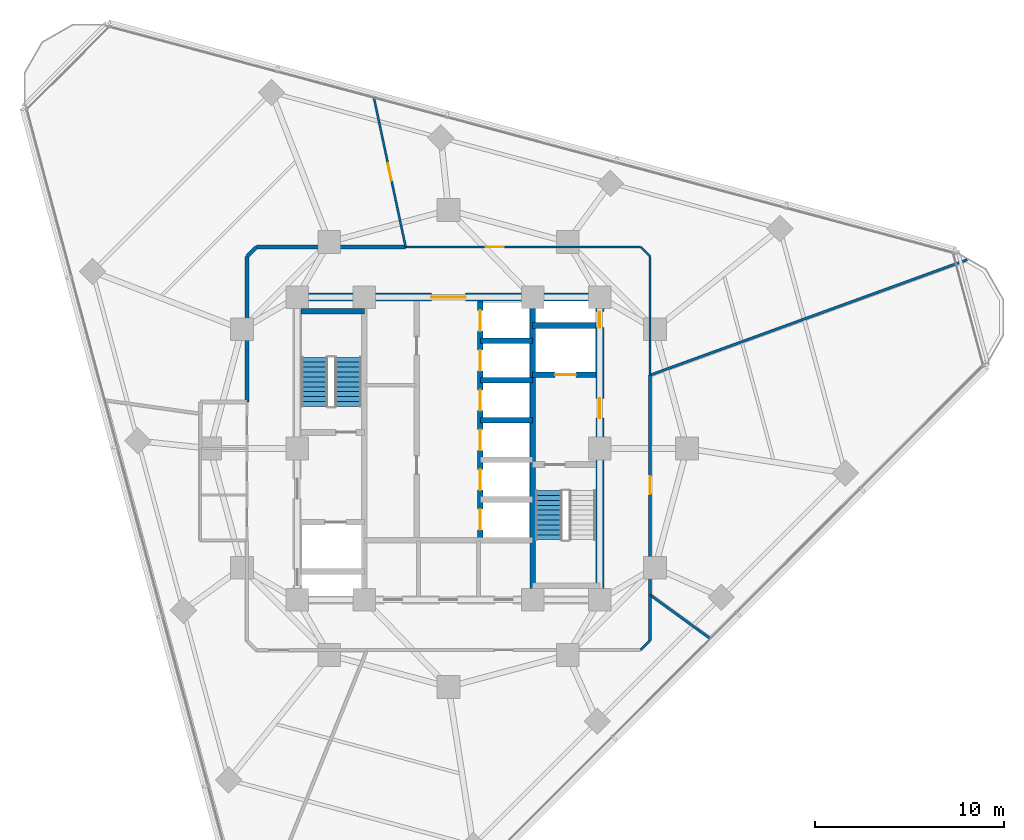
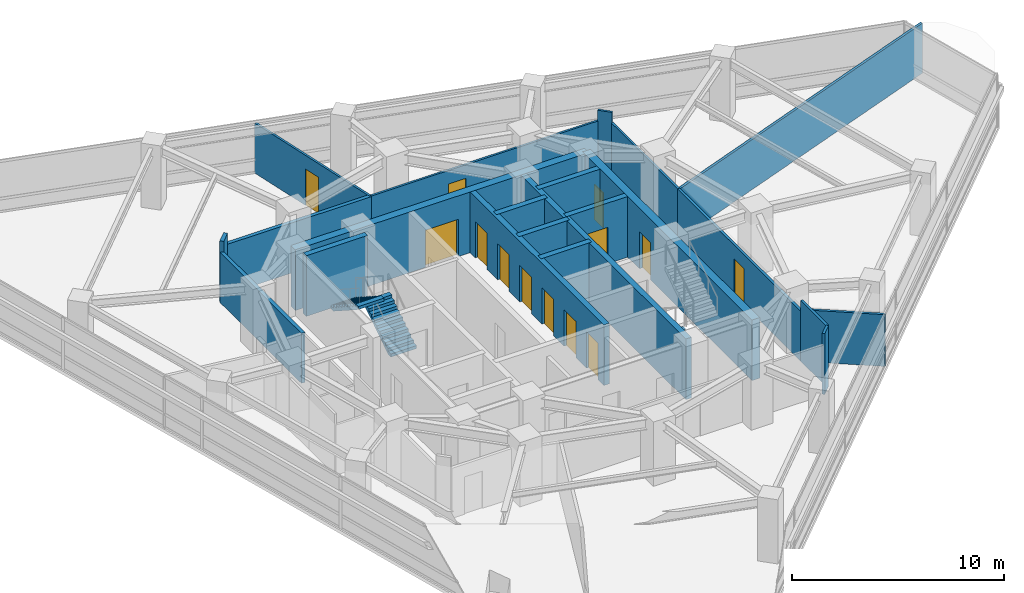
# One storey, part 8 of 13: 22 walls, 13 doors, 3 stair flights, 13 openings, 2 elements without a shape of their own.
"""IFC4 building model written with IfcOpenShell, lengths in metres."""

from ifc_helpers import new_model, si_unit, direction, frame, frame_2d, origin, place, context, subcontext, project, spatial, polyline, rectangle, outline, extrude, material, layer, layer_set, type_object, element, fill, aggregate, save


model = new_model("IFC4")

# Units and contexts
model_context = context("Model", 3, precision=1e-05, world=origin(), true_north=direction((0.0, 1.0)))
body_context = subcontext(model_context, "Body", "Model", "MODEL_VIEW")
ifc_project = project(units=[si_unit("LENGTHUNIT", "METRE"), si_unit("AREAUNIT", "SQUARE_METRE"), si_unit("VOLUMEUNIT", "CUBIC_METRE"), si_unit("PLANEANGLEUNIT", "RADIAN"), si_unit("MASSUNIT", "GRAM", prefix="KILO")], contexts=[model_context])

# Site, building, storey
site_placement = place(None, origin())
site = spatial("IfcSite", under=ifc_project, at=site_placement, CompositionType="ELEMENT")
building_placement = place(site_placement, origin())
building = spatial("IfcBuilding", under=site, at=building_placement, Name="Terralouvre Media Tower", CompositionType="ELEMENT")
storey_placement = place(building_placement, frame((0.0, 0.0, 199.0)))
storey = spatial("IfcBuildingStorey", under=building, at=storey_placement, Name="L51", CompositionType="ELEMENT", Elevation=199.0)

# Walls
ifc_material_1 = material(Name="Concrete C50/60", Category="concrete")
ifc_layer_1 = layer(ifc_material_1, 0.300048828125, Name="Core Internal Shaft Wall CW-300")
ifc_layer_set_1 = layer_set([ifc_layer_1], Name="Concrete C50/60")
wall_type_1 = type_object("IfcWallType", Name="Core Internal Shaft Wall CW-300", PredefinedType="SHEAR", material=ifc_layer_set_1)
wall_1_placement = place(storey_placement, frame((4.449951171875, -7.7900390625, 0.0), z_axis=(0.0, 0.0, 1.0), x_axis=(0.0, 1.0, 0.0)))
element("IfcWall", 1, at=wall_1_placement, inside=storey, type_object=wall_type_1, Name="L51 Core Shaft Wall SPE", PredefinedType="SHEAR", context=body_context, shape_type="SweptSolid", body=[
    extrude(rectangle(XDim=15.580078125, YDim=0.300048828125, at=frame_2d((7.7900390625, 0.0))), origin(), (0.0, 0.0, 1.0), 3.5),
])
wall_2_placement = place(storey_placement, frame((-7.7900390625, 7.260009765625, 0.0), z_axis=(0.0, 0.0, 1.0), x_axis=(1.0, 0.0, 0.0)))
element("IfcWall", 2, at=wall_2_placement, inside=storey, type_object=wall_type_1, Name="L51 Core Shaft Wall ST1F", PredefinedType="SHEAR", context=body_context, shape_type="SweptSolid", body=[
    extrude(rectangle(XDim=3.340087890625, YDim=0.300048828125, at=frame_2d((1.669921875, 0.0))), origin(), (0.0, 0.0, 1.0), 3.5),
])

# Wall, opening, door
wall_3_placement = place(storey_placement, frame((4.449951171875, 3.89990234375, 0.0), z_axis=(0.0, 0.0, 1.0), x_axis=(1.0, 0.0, 0.0)))
wall_3 = element("IfcWall", 3, at=wall_3_placement, inside=storey, type_object=wall_type_1, Name="L51 Core Shaft Wall FF2S", PredefinedType="SHEAR", context=body_context, shape_type="SweptSolid", body=[
    extrude(rectangle(XDim=3.340087890625, YDim=0.300048828125, at=frame_2d((1.669921875, 0.0))), origin(), (0.0, 0.0, 1.0), 3.5),
])
opening_1_placement = place(wall_3_placement, frame((1.179931640625, 0.0, 0.0)))
opening_1 = element("IfcOpeningElement", 4, at=opening_1_placement, cuts=wall_3, Name="Opening LD-FF", PredefinedType="OPENING", context=body_context, shape_type="SweptSolid", body=[
    extrude(rectangle(XDim=1.10009765625, YDim=2.10009765625, at=frame_2d((0.550048828125, 1.050048828125))), frame((0.0, 0.159912109375, 0.0), z_axis=(0.0, -1.0, 0.0), x_axis=(1.0, 0.0, 0.0)), (0.0, 0.0, 1.0), 0.320068359375),
])
ifc_material_2 = material(Name="Stainless steel 316 handrail and balustrade", Category="steel")
door_type_1 = type_object("IfcDoorType", Name="Firefighting Lift Sliding Landing Door LD-FF", OperationType="SLIDING_TO_LEFT", PredefinedType="DOOR", material=ifc_material_2)
door_1_placement = place(opening_1_placement, origin())
door_1 = element("IfcDoor", 5, at=door_1_placement, inside=storey, type_object=door_type_1, Name="L51 Firefighting Lift FFL-02 Landing Door", OperationType="SLIDING_TO_LEFT", OverallHeight=2.10009765625, OverallWidth=1.10009765625, PredefinedType="DOOR", context=body_context, shape_type="SweptSolid", body=[
    extrude(rectangle(XDim=1.10009765625, YDim=2.10009765625, at=frame_2d((0.550048828125, 1.050048828125))), frame((0.0, 0.02490234375, 0.0), z_axis=(0.0, -1.0, 0.0), x_axis=(1.0, 0.0, 0.0)), (0.0, 0.0, 1.0), 0.050048828125),
])
fill(opening_1, door_1)

# Wall
wall_4_placement = place(storey_placement, frame((4.449951171875, 6.5, 0.0), z_axis=(0.0, 0.0, 1.0), x_axis=(1.0, 0.0, 0.0)))
element("IfcWall", 6, at=wall_4_placement, inside=storey, type_object=wall_type_1, Name="L51 Core Shaft Wall FF2N", PredefinedType="SHEAR", context=body_context, shape_type="SweptSolid", body=[
    extrude(rectangle(XDim=3.340087890625, YDim=0.300048828125, at=frame_2d((1.669921875, 0.0))), origin(), (0.0, 0.0, 1.0), 3.5),
])

# Wall, openings, doors
wall_5_placement = place(storey_placement, frame((1.679931640625, -4.85009765625, 0.0), z_axis=(0.0, 0.0, 1.0), x_axis=(0.0, 1.0, 0.0)))
wall_5 = element("IfcWall", 7, at=wall_5_placement, inside=storey, type_object=wall_type_1, Name="L51 Core Shaft Wall LBE", PredefinedType="SHEAR", context=body_context, shape_type="SweptSolid", body=[
    extrude(rectangle(XDim=12.64013671875, YDim=0.300048828125, at=frame_2d((6.320068359375, 0.0))), origin(), (0.0, 0.0, 1.0), 3.5),
])
opening_2_placement = place(wall_5_placement, frame((0.550048828125, 0.0, 0.0)))
opening_2 = element("IfcOpeningElement", 8, at=opening_2_placement, cuts=wall_5, Name="Opening LD-PL", PredefinedType="OPENING", context=body_context, shape_type="SweptSolid", body=[
    extrude(rectangle(XDim=1.10009765625, YDim=2.10009765625, at=frame_2d((0.550048828125, 1.050048828125))), frame((0.0, 0.159912109375, 0.0), z_axis=(0.0, -1.0, 0.0), x_axis=(1.0, 0.0, 0.0)), (0.0, 0.0, 1.0), 0.320068359375),
])
opening_3_placement = place(wall_5_placement, frame((2.64990234375, 0.0, 0.0)))
opening_3 = element("IfcOpeningElement", 9, at=opening_3_placement, cuts=wall_5, Name="Opening LD-PL", PredefinedType="OPENING", context=body_context, shape_type="SweptSolid", body=[
    extrude(rectangle(XDim=1.10009765625, YDim=2.10009765625, at=frame_2d((0.550048828125, 1.050048828125))), frame((0.0, 0.159912109375, 0.0), z_axis=(0.0, -1.0, 0.0), x_axis=(1.0, 0.0, 0.0)), (0.0, 0.0, 1.0), 0.320068359375),
])
opening_4_placement = place(wall_5_placement, frame((4.75, 0.0, 0.0)))
opening_4 = element("IfcOpeningElement", 10, at=opening_4_placement, cuts=wall_5, Name="Opening LD-PL", PredefinedType="OPENING", context=body_context, shape_type="SweptSolid", body=[
    extrude(rectangle(XDim=1.10009765625, YDim=2.10009765625, at=frame_2d((0.550048828125, 1.050048828125))), frame((0.0, 0.159912109375, 0.0), z_axis=(0.0, -1.0, 0.0), x_axis=(1.0, 0.0, 0.0)), (0.0, 0.0, 1.0), 0.320068359375),
])
opening_5_placement = place(wall_5_placement, frame((6.85009765625, 0.0, 0.0)))
opening_5 = element("IfcOpeningElement", 11, at=opening_5_placement, cuts=wall_5, Name="Opening LD-PL", PredefinedType="OPENING", context=body_context, shape_type="SweptSolid", body=[
    extrude(rectangle(XDim=1.10009765625, YDim=2.10009765625, at=frame_2d((0.550048828125, 1.050048828125))), frame((0.0, 0.159912109375, 0.0), z_axis=(0.0, -1.0, 0.0), x_axis=(1.0, 0.0, 0.0)), (0.0, 0.0, 1.0), 0.320068359375),
])
opening_6_placement = place(wall_5_placement, frame((8.949951171875, 0.0, 0.0)))
opening_6 = element("IfcOpeningElement", 12, at=opening_6_placement, cuts=wall_5, Name="Opening LD-PL", PredefinedType="OPENING", context=body_context, shape_type="SweptSolid", body=[
    extrude(rectangle(XDim=1.10009765625, YDim=2.10009765625, at=frame_2d((0.550048828125, 1.050048828125))), frame((0.0, 0.159912109375, 0.0), z_axis=(0.0, -1.0, 0.0), x_axis=(1.0, 0.0, 0.0)), (0.0, 0.0, 1.0), 0.320068359375),
])
opening_7_placement = place(wall_5_placement, frame((11.050048828125, 0.0, 0.0)))
opening_7 = element("IfcOpeningElement", 13, at=opening_7_placement, cuts=wall_5, Name="Opening LD-PL", PredefinedType="OPENING", context=body_context, shape_type="SweptSolid", body=[
    extrude(rectangle(XDim=1.10009765625, YDim=2.10009765625, at=frame_2d((0.550048828125, 1.050048828125))), frame((0.0, 0.159912109375, 0.0), z_axis=(0.0, -1.0, 0.0), x_axis=(1.0, 0.0, 0.0)), (0.0, 0.0, 1.0), 0.320068359375),
])
ifc_material_3 = material(Name="Stainless steel 316 handrail and balustrade", Category="steel")
door_type_2 = type_object("IfcDoorType", Name="Passenger Lift Sliding Landing Door LD-PL", OperationType="SLIDING_TO_LEFT", PredefinedType="DOOR", material=ifc_material_3)
door_2_placement = place(opening_2_placement, origin())
door_2 = element("IfcDoor", 14, at=door_2_placement, inside=storey, type_object=door_type_2, Name="L51 High-Rise Lift PL-H1 Landing Door", OperationType="SLIDING_TO_LEFT", OverallHeight=2.10009765625, OverallWidth=1.10009765625, PredefinedType="DOOR", context=body_context, shape_type="SweptSolid", body=[
    extrude(rectangle(XDim=1.10009765625, YDim=2.10009765625, at=frame_2d((0.550048828125, 1.050048828125))), frame((0.0, 0.02490234375, 0.0), z_axis=(0.0, -1.0, 0.0), x_axis=(1.0, 0.0, 0.0)), (0.0, 0.0, 1.0), 0.050048828125),
])
fill(opening_2, door_2)
door_3_placement = place(opening_3_placement, origin())
door_3 = element("IfcDoor", 15, at=door_3_placement, inside=storey, type_object=door_type_2, Name="L51 High-Rise Lift PL-H2 Landing Door", OperationType="SLIDING_TO_LEFT", OverallHeight=2.10009765625, OverallWidth=1.10009765625, PredefinedType="DOOR", context=body_context, shape_type="SweptSolid", body=[
    extrude(rectangle(XDim=1.10009765625, YDim=2.10009765625, at=frame_2d((0.550048828125, 1.050048828125))), frame((0.0, 0.02490234375, 0.0), z_axis=(0.0, -1.0, 0.0), x_axis=(1.0, 0.0, 0.0)), (0.0, 0.0, 1.0), 0.050048828125),
])
fill(opening_3, door_3)
door_4_placement = place(opening_4_placement, origin())
door_4 = element("IfcDoor", 16, at=door_4_placement, inside=storey, type_object=door_type_2, Name="L51 High-Rise Lift PL-H3 Landing Door", OperationType="SLIDING_TO_LEFT", OverallHeight=2.10009765625, OverallWidth=1.10009765625, PredefinedType="DOOR", context=body_context, shape_type="SweptSolid", body=[
    extrude(rectangle(XDim=1.10009765625, YDim=2.10009765625, at=frame_2d((0.550048828125, 1.050048828125))), frame((0.0, 0.02490234375, 0.0), z_axis=(0.0, -1.0, 0.0), x_axis=(1.0, 0.0, 0.0)), (0.0, 0.0, 1.0), 0.050048828125),
])
fill(opening_4, door_4)
door_5_placement = place(opening_5_placement, origin())
door_5 = element("IfcDoor", 17, at=door_5_placement, inside=storey, type_object=door_type_2, Name="L51 Mid-Rise Lift PL-M1 Landing Door", OperationType="SLIDING_TO_LEFT", OverallHeight=2.10009765625, OverallWidth=1.10009765625, PredefinedType="DOOR", context=body_context, shape_type="SweptSolid", body=[
    extrude(rectangle(XDim=1.10009765625, YDim=2.10009765625, at=frame_2d((0.550048828125, 1.050048828125))), frame((0.0, 0.02490234375, 0.0), z_axis=(0.0, -1.0, 0.0), x_axis=(1.0, 0.0, 0.0)), (0.0, 0.0, 1.0), 0.050048828125),
])
fill(opening_5, door_5)
door_6_placement = place(opening_6_placement, origin())
door_6 = element("IfcDoor", 18, at=door_6_placement, inside=storey, type_object=door_type_2, Name="L51 Mid-Rise Lift PL-M2 Landing Door", OperationType="SLIDING_TO_LEFT", OverallHeight=2.10009765625, OverallWidth=1.10009765625, PredefinedType="DOOR", context=body_context, shape_type="SweptSolid", body=[
    extrude(rectangle(XDim=1.10009765625, YDim=2.10009765625, at=frame_2d((0.550048828125, 1.050048828125))), frame((0.0, 0.02490234375, 0.0), z_axis=(0.0, -1.0, 0.0), x_axis=(1.0, 0.0, 0.0)), (0.0, 0.0, 1.0), 0.050048828125),
])
fill(opening_6, door_6)
door_7_placement = place(opening_7_placement, origin())
door_7 = element("IfcDoor", 19, at=door_7_placement, inside=storey, type_object=door_type_2, Name="L51 Mid-Rise Lift PL-M3 Landing Door", OperationType="SLIDING_TO_LEFT", OverallHeight=2.10009765625, OverallWidth=1.10009765625, PredefinedType="DOOR", context=body_context, shape_type="SweptSolid", body=[
    extrude(rectangle(XDim=1.10009765625, YDim=2.10009765625, at=frame_2d((0.550048828125, 1.050048828125))), frame((0.0, 0.02490234375, 0.0), z_axis=(0.0, -1.0, 0.0), x_axis=(1.0, 0.0, 0.0)), (0.0, 0.0, 1.0), 0.050048828125),
])
fill(opening_7, door_7)

# Walls
for number, where, z_axis, x_axis, name in (
    (20, (1.679931640625, 1.5, 0.0), (0.0, 0.0, 1.0), (1.0, 0.0, 0.0), "L51 Core Shaft Wall PLMD0"),
    (21, (1.679931640625, 3.60009765625, 0.0), (0.0, 0.0, 1.0), (1.0, 0.0, 0.0), "L51 Core Shaft Wall PLMD1"),
    (22, (1.679931640625, 5.699951171875, 0.0), (0.0, 0.0, 1.0), (1.0, 0.0, 0.0), "L51 Core Shaft Wall PLMD2"),
):
    element("IfcWall", number, at=place(storey_placement, frame(where, z_axis=z_axis, x_axis=x_axis)), inside=storey, type_object=wall_type_1, Name=name, PredefinedType="SHEAR", context=body_context, shape_type="SweptSolid", body=[
        extrude(rectangle(XDim=2.77001953125, YDim=0.300048828125, at=frame_2d((1.385009765625, 0.0))), origin(), (0.0, 0.0, 1.0), 3.5),
    ])

# Wall, openings, doors
ifc_material_4 = material(Name="Concrete C60/75", Category="concrete")
ifc_layer_2 = layer(ifc_material_4, 0.419921875, Name="Core Reinforced Concrete Shear Wall CW-420")
ifc_layer_set_2 = layer_set([ifc_layer_2], Name="Concrete C60/75")
wall_type_2 = type_object("IfcWallType", Name="Core Reinforced Concrete Shear Wall CW-420", PredefinedType="SHEAR", material=ifc_layer_set_2)
wall_6_placement = place(storey_placement, frame((8.0, -8.0, 0.0), z_axis=(0.0, 0.0, 1.0), x_axis=(0.0, 1.0, 0.0)))
wall_6 = element("IfcWall", 23, at=wall_6_placement, inside=storey, type_object=wall_type_2, Name="L51 E Core Shear Wall", PredefinedType="SHEAR", context=body_context, shape_type="SweptSolid", body=[
    extrude(rectangle(XDim=16.0, YDim=0.419921875, at=frame_2d((8.0, 0.0))), origin(), (0.0, 0.0, 1.0), 3.5),
])
opening_8_placement = place(wall_6_placement, frame((9.60009765625, 0.0, 0.0)))
opening_8 = element("IfcOpeningElement", 24, at=opening_8_placement, cuts=wall_6, Name="Opening FD-01-105X215", PredefinedType="OPENING", context=body_context, shape_type="SweptSolid", body=[
    extrude(rectangle(XDim=1.050048828125, YDim=2.14990234375, at=frame_2d((0.52490234375, 1.074951171875))), frame((0.0, 0.219970703125, 0.0), z_axis=(0.0, -1.0, 0.0), x_axis=(1.0, 0.0, 0.0)), (0.0, 0.0, 1.0), 0.43994140625),
])
opening_9_placement = place(wall_6_placement, frame((14.388671875, 0.0, 0.0)))
opening_9 = element("IfcOpeningElement", 25, at=opening_9_placement, cuts=wall_6, Name="Opening TD-R1", PredefinedType="OPENING", context=body_context, shape_type="SweptSolid", body=[
    extrude(rectangle(XDim=0.85009765625, YDim=2.02001953125, at=frame_2d((0.425048828125, 1.010009765625))), frame((0.0, 0.219970703125, 0.0), z_axis=(0.0, -1.0, 0.0), x_axis=(1.0, 0.0, 0.0)), (0.0, 0.0, 1.0), 0.43994140625),
])
ifc_material_5 = material(Name="Galvanised steel fire-resisting leaf", Category="steel")
door_type_3 = type_object("IfcDoorType", Name="Riser Inspection Access Trapdoor TD-R1", OperationType="NOTDEFINED", PredefinedType="TRAPDOOR", material=ifc_material_5)
door_8_placement = place(opening_9_placement, origin())
door_8 = element("IfcDoor", 26, at=door_8_placement, inside=storey, type_object=door_type_3, Name="L51 East Comms Riser Access Trapdoor", OperationType="SINGLE_SWING_RIGHT", OverallHeight=2.02001953125, OverallWidth=0.85009765625, PredefinedType="TRAPDOOR", context=body_context, shape_type="SweptSolid", body=[
    extrude(rectangle(XDim=0.85009765625, YDim=2.02001953125, at=frame_2d((0.425048828125, 1.010009765625))), frame((0.0, 0.02490234375, 0.0), z_axis=(0.0, -1.0, 0.0), x_axis=(1.0, 0.0, 0.0)), (0.0, 0.0, 1.0), 0.050048828125),
])
fill(opening_9, door_8)
ifc_material_6 = material(Name="Galvanised steel fire-resisting leaf", Category="steel")
door_type_4 = type_object("IfcDoorType", Name="Stair and Firefighting Lobby Fire Door FD-01 (1050x2150)", OperationType="NOTDEFINED", PredefinedType="DOOR", material=ifc_material_6)
door_9_placement = place(opening_8_placement, origin())
door_9 = element("IfcDoor", 27, at=door_9_placement, inside=storey, type_object=door_type_4, Name="L51 East Firefighting Lobby Entry Door", OperationType="SINGLE_SWING_LEFT", OverallHeight=2.14990234375, OverallWidth=1.050048828125, PredefinedType="DOOR", context=body_context, shape_type="SweptSolid", body=[
    extrude(rectangle(XDim=1.050048828125, YDim=2.14990234375, at=frame_2d((0.52490234375, 1.074951171875))), frame((0.0, 0.02490234375, 0.0), z_axis=(0.0, -1.0, 0.0), x_axis=(1.0, 0.0, 0.0)), (0.0, 0.0, 1.0), 0.050048828125),
])
fill(opening_8, door_9)

# Wall, opening, door
wall_7_placement = place(storey_placement, frame((-8.0, 8.0, 0.0), z_axis=(0.0, 0.0, 1.0), x_axis=(1.0, 0.0, 0.0)))
wall_7 = element("IfcWall", 28, at=wall_7_placement, inside=storey, type_object=wall_type_2, Name="L51 N Core Shear Wall", PredefinedType="SHEAR", context=body_context, shape_type="SweptSolid", body=[
    extrude(rectangle(XDim=16.0, YDim=0.419921875, at=frame_2d((8.0, 0.0))), origin(), (0.0, 0.0, 1.0), 3.5),
])
opening_10_placement = place(wall_7_placement, frame((7.10009765625, 0.0, 0.0)))
opening_10 = element("IfcOpeningElement", 29, at=opening_10_placement, cuts=wall_7, Name="Opening FD-03", PredefinedType="OPENING", context=body_context, shape_type="SweptSolid", body=[
    extrude(rectangle(XDim=1.800048828125, YDim=2.14990234375, at=frame_2d((0.89990234375, 1.074951171875))), frame((0.0, 0.219970703125, 0.0), z_axis=(0.0, -1.0, 0.0), x_axis=(1.0, 0.0, 0.0)), (0.0, 0.0, 1.0), 0.43994140625),
])
ifc_material_7 = material(Name="Galvanised steel fire-resisting leaf", Category="steel")
door_type_5 = type_object("IfcDoorType", Name="Corridor Smoke-Control Double Door FD-03", OperationType="DOUBLE_DOOR_SINGLE_SWING", PredefinedType="DOOR", material=ifc_material_7)
door_10_placement = place(opening_10_placement, origin())
door_10 = element("IfcDoor", 30, at=door_10_placement, inside=storey, type_object=door_type_5, Name="L51 Central Lift Lobby Portal Door", OperationType="DOUBLE_DOOR_SINGLE_SWING", OverallHeight=2.14990234375, OverallWidth=1.800048828125, PredefinedType="DOOR", context=body_context, shape_type="SweptSolid", body=[
    extrude(rectangle(XDim=1.800048828125, YDim=2.14990234375, at=frame_2d((0.89990234375, 1.074951171875))), frame((0.0, 0.02490234375, 0.0), z_axis=(0.0, -1.0, 0.0), x_axis=(1.0, 0.0, 0.0)), (0.0, 0.0, 1.0), 0.050048828125),
])
fill(opening_10, door_10)

# Walls
ifc_material_8 = material(Name="Fire-rated gypsum board drywall partition")
ifc_layer_3 = layer(ifc_material_8, 0.199951171875, Name="Fire-Rated Shaft and Lobby Partition FW-200")
ifc_layer_set_3 = layer_set([ifc_layer_3], Name="Fire-rated gypsum board drywall partition")
wall_type_3 = type_object("IfcWallType", Name="Fire-Rated Shaft and Lobby Partition FW-200", PredefinedType="SOLIDWALL", material=ifc_layer_set_3)
wall_8_placement = place(storey_placement, frame((-2.263916015625, 10.64990234375, 0.0), z_axis=(0.0, 0.0, 1.0), x_axis=(-1.0, 0.0, 0.0)))
element("IfcWall", 31, at=wall_8_placement, inside=storey, type_object=wall_type_3, Name="L51 Interior Partition 013", PredefinedType="SOLIDWALL", context=body_context, shape_type="SweptSolid", body=[
    extrude(rectangle(XDim=7.885986328125, YDim=0.199951171875, at=frame_2d((3.94287109375, 0.0))), origin(), (0.0, 0.0, 1.0), 2.885009765625),
])
wall_9_placement = place(storey_placement, frame((-10.14990234375, 10.64990234375, 0.0), z_axis=(0.0, 0.0, 1.0), x_axis=(-0.707106781187, -0.707106781187, 0.0)))
element("IfcWall", 32, at=wall_9_placement, inside=storey, type_object=wall_type_3, Name="L51 Interior Partition 014", PredefinedType="SOLIDWALL", context=body_context, shape_type="SweptSolid", body=[
    extrude(rectangle(XDim=0.70703125, YDim=0.199951171875, at=frame_2d((0.353515625, 0.0))), origin(), (0.0, 0.0, 1.0), 3.5),
])
wall_10_placement = place(storey_placement, frame((-10.64990234375, 10.14990234375, 0.0), z_axis=(0.0, 0.0, 1.0), x_axis=(0.0, -1.0, 0.0)))
element("IfcWall", 33, at=wall_10_placement, inside=storey, type_object=wall_type_3, Name="L51 Interior Partition 015", PredefinedType="SOLIDWALL", context=body_context, shape_type="SweptSolid", body=[
    extrude(rectangle(XDim=7.699951171875, YDim=0.199951171875, at=frame_2d((3.85009765625, 0.0))), origin(), (0.0, 0.0, 1.0), 2.885009765625),
])
ifc_material_9 = material(Name="Fire-rated gypsum board drywall partition")
ifc_layer_4 = layer(ifc_material_9, 0.135009765625, Name="Newsroom Acoustic Partition PT-135")
ifc_layer_set_4 = layer_set([ifc_layer_4], Name="Fire-rated gypsum board drywall partition")
wall_type_4 = type_object("IfcWallType", Name="Newsroom Acoustic Partition PT-135", PredefinedType="PARTITIONING", material=ifc_layer_set_4)
wall_11_placement = place(storey_placement, frame((10.14990234375, -10.64990234375, 0.0), z_axis=(0.0, 0.0, 1.0), x_axis=(0.707106781187, 0.707106781187, 0.0)))
element("IfcWall", 34, at=wall_11_placement, inside=storey, type_object=wall_type_4, Name="L51 Interior Partition 007", PredefinedType="PARTITIONING", context=body_context, shape_type="SweptSolid", body=[
    extrude(rectangle(XDim=0.70703125, YDim=0.135009765625, at=frame_2d((0.353515625, 0.0))), origin(), (0.0, 0.0, 1.0), 3.5),
])
wall_12_placement = place(storey_placement, frame((10.64990234375, -10.14990234375, 0.0), z_axis=(0.0, 0.0, 1.0), x_axis=(0.0, 1.0, 0.0)))
element("IfcWall", 35, at=wall_12_placement, inside=storey, type_object=wall_type_4, Name="L51 Interior Partition 008", PredefinedType="PARTITIONING", context=body_context, shape_type="SweptSolid", body=[
    extrude(rectangle(XDim=2.411865234375, YDim=0.135009765625, at=frame_2d((1.2060546875, 0.0))), origin(), (0.0, 0.0, 1.0), 3.5),
])

# Wall, opening, door
wall_13_placement = place(storey_placement, frame((10.64990234375, -7.738037109375, 0.0), z_axis=(0.0, 0.0, 1.0), x_axis=(0.0, 1.0, 0.0)))
wall_13 = element("IfcWall", 36, at=wall_13_placement, inside=storey, type_object=wall_type_4, Name="L51 Interior Partition 009", PredefinedType="PARTITIONING", context=body_context, shape_type="SweptSolid", body=[
    extrude(rectangle(XDim=11.614013671875, YDim=0.135009765625, at=frame_2d((5.80712890625, 0.0))), origin(), (0.0, 0.0, 1.0), 2.885009765625),
])
opening_11_placement = place(wall_13_placement, frame((5.33203125, 0.0, 0.0)))
opening_11 = element("IfcOpeningElement", 37, at=opening_11_placement, cuts=wall_13, Name="Opening ID-02-95X210", PredefinedType="OPENING", context=body_context, shape_type="SweptSolid", body=[
    extrude(rectangle(XDim=0.949951171875, YDim=2.10009765625, at=frame_2d((0.47509765625, 1.050048828125))), frame((0.0, 0.077392578125, 0.0), z_axis=(0.0, -1.0, 0.0), x_axis=(1.0, 0.0, 0.0)), (0.0, 0.0, 1.0), 0.155029296875),
])
ifc_material_10 = material(Name="Engineered hardwood acoustic timber leaf", Category="wood")
door_type_6 = type_object("IfcDoorType", Name="Office and Meeting Room Door ID-02 (950x2100)", OperationType="NOTDEFINED", PredefinedType="DOOR", material=ifc_material_10)
door_11_placement = place(opening_11_placement, origin())
door_11 = element("IfcDoor", 38, at=door_11_placement, inside=storey, type_object=door_type_6, Name="L51 Foreign Press Reading Study 3 Door", OperationType="SINGLE_SWING_RIGHT", OverallHeight=2.10009765625, OverallWidth=0.949951171875, PredefinedType="DOOR", context=body_context, shape_type="SweptSolid", body=[
    extrude(rectangle(XDim=0.949951171875, YDim=2.10009765625, at=frame_2d((0.47509765625, 1.050048828125))), frame((0.0, 0.02490234375, 0.0), z_axis=(0.0, -1.0, 0.0), x_axis=(1.0, 0.0, 0.0)), (0.0, 0.0, 1.0), 0.050048828125),
])
fill(opening_11, door_11)

# Walls
wall_14_placement = place(storey_placement, frame((13.86181640625, -10.07080078125, 0.0), z_axis=(0.0, 0.0, 1.0), x_axis=(-0.80911622839, 0.587648644137, 0.0)))
element("IfcWall", 39, at=wall_14_placement, inside=storey, type_object=wall_type_4, Name="L51 Interior Partition 025", PredefinedType="PARTITIONING", context=body_context, shape_type="SweptSolid", body=[
    extrude(rectangle(XDim=3.9697265625, YDim=0.135009765625, at=frame_2d((1.98486328125, 0.0))), origin(), (0.0, 0.0, 1.0), 2.985107421875),
])
wall_15_placement = place(storey_placement, frame((27.40771484375, 9.9755859375, 0.0), z_axis=(0.0, 0.0, 1.0), x_axis=(-0.939687855064, -0.342033236756, 0.0)))
element("IfcWall", 40, at=wall_15_placement, inside=storey, type_object=wall_type_4, Name="L51 Interior Partition 026", PredefinedType="PARTITIONING", context=body_context, shape_type="SweptSolid", body=[
    extrude(rectangle(XDim=17.83349609375, YDim=0.135009765625, at=frame_2d((8.916748046875, 0.0))), origin(), (0.0, 0.0, 1.0), 2.885009765625),
])
ifc_material_11 = material(Name="Fire-rated gypsum board drywall partition")
ifc_layer_5 = layer(ifc_material_11, 0.114990234375, Name="Restroom and Pantry Partition PT-115")
ifc_layer_set_5 = layer_set([ifc_layer_5], Name="Fire-rated gypsum board drywall partition")
wall_type_5 = type_object("IfcWallType", Name="Restroom and Pantry Partition PT-115", PredefinedType="PARTITIONING", material=ifc_layer_set_5)
wall_16_placement = place(storey_placement, frame((10.64990234375, 3.8759765625, 0.0), z_axis=(0.0, 0.0, 1.0), x_axis=(0.0, 1.0, 0.0)))
element("IfcWall", 41, at=wall_16_placement, inside=storey, type_object=wall_type_5, Name="L51 Interior Partition 010", PredefinedType="PARTITIONING", context=body_context, shape_type="SweptSolid", body=[
    extrude(rectangle(XDim=6.27392578125, YDim=0.114990234375, at=frame_2d((3.136962890625, 0.0))), origin(), (0.0, 0.0, 1.0), 2.885009765625),
])
wall_17_placement = place(storey_placement, frame((10.64990234375, 10.14990234375, 0.0), z_axis=(0.0, 0.0, 1.0), x_axis=(-0.707106781187, 0.707106781187, 0.0)))
element("IfcWall", 42, at=wall_17_placement, inside=storey, type_object=wall_type_5, Name="L51 Interior Partition 011", PredefinedType="PARTITIONING", context=body_context, shape_type="SweptSolid", body=[
    extrude(rectangle(XDim=0.70703125, YDim=0.114990234375, at=frame_2d((0.353515625, 0.0))), origin(), (0.0, 0.0, 1.0), 3.5),
])

# Wall, opening, door
wall_18_placement = place(storey_placement, frame((10.14990234375, 10.64990234375, 0.0), z_axis=(0.0, 0.0, 1.0), x_axis=(-1.0, 0.0, 0.0)))
wall_18 = element("IfcWall", 43, at=wall_18_placement, inside=storey, type_object=wall_type_5, Name="L51 Interior Partition 012", PredefinedType="PARTITIONING", context=body_context, shape_type="SweptSolid", body=[
    extrude(rectangle(XDim=12.413818359375, YDim=0.114990234375, at=frame_2d((6.20703125, 0.0))), origin(), (0.0, 0.0, 1.0), 2.885009765625),
])
opening_12_placement = place(wall_18_placement, frame((7.2216796875, 0.0, 0.0)))
opening_12 = element("IfcOpeningElement", 44, at=opening_12_placement, cuts=wall_18, Name="Opening SD-01-95X210", PredefinedType="OPENING", context=body_context, shape_type="SweptSolid", body=[
    extrude(rectangle(XDim=0.949951171875, YDim=2.10009765625, at=frame_2d((0.47509765625, 1.050048828125))), frame((0.0, 0.0673828125, 0.0), z_axis=(0.0, -1.0, 0.0), x_axis=(1.0, 0.0, 0.0)), (0.0, 0.0, 1.0), 0.135009765625),
])
ifc_material_12 = material(Name="Anodised extruded aluminium 6063-T6", Category="aluminium")
door_type_7 = type_object("IfcDoorType", Name="Pantry Pocket Sliding Door SD-01 (950x2100)", OperationType="SLIDING_TO_LEFT", PredefinedType="DOOR", material=ifc_material_12)
door_12_placement = place(opening_12_placement, origin())
door_12 = element("IfcDoor", 45, at=door_12_placement, inside=storey, type_object=door_type_7, Name="L51 International Tea Servery 4 Door", OperationType="SLIDING_TO_LEFT", OverallHeight=2.10009765625, OverallWidth=0.949951171875, PredefinedType="DOOR", context=body_context, shape_type="SweptSolid", body=[
    extrude(rectangle(XDim=0.949951171875, YDim=2.10009765625, at=frame_2d((0.47509765625, 1.050048828125))), frame((0.0, 0.02490234375, 0.0), z_axis=(0.0, -1.0, 0.0), x_axis=(1.0, 0.0, 0.0)), (0.0, 0.0, 1.0), 0.050048828125),
])
fill(opening_12, door_12)

wall_19_placement = place(storey_placement, frame((-3.949462890625, 18.578125, 0.0), z_axis=(0.0, 0.0, 1.0), x_axis=(0.20795313807, -0.978138789931, 0.0)))
wall_19 = element("IfcWall", 46, at=wall_19_placement, inside=storey, type_object=wall_type_5, Name="L51 Interior Partition 027", PredefinedType="PARTITIONING", context=body_context, shape_type="SweptSolid", body=[
    extrude(rectangle(XDim=8.10546875, YDim=0.114990234375, at=frame_2d((4.052734375, 0.0))), origin(), (0.0, 0.0, 1.0), 2.885009765625),
])
opening_13_placement = place(wall_19_placement, frame((3.5927734375, 0.0, 0.0)))
opening_13 = element("IfcOpeningElement", 47, at=opening_13_placement, cuts=wall_19, Name="Opening FD-05-92X210", PredefinedType="OPENING", context=body_context, shape_type="SweptSolid", body=[
    extrude(rectangle(XDim=0.919921875, YDim=2.10009765625, at=frame_2d((0.4599609375, 1.050048828125))), frame((0.0, 0.0673828125, 0.0), z_axis=(0.0, -1.0, 0.0), x_axis=(1.0, 0.0, 0.0)), (0.0, 0.0, 1.0), 0.135009765625),
])
ifc_material_13 = material(Name="Galvanised steel fire-resisting leaf", Category="steel")
door_type_8 = type_object("IfcDoorType", Name="Core Accessible Closet Fire Door FD-05 (920x2100)", OperationType="NOTDEFINED", PredefinedType="DOOR", material=ifc_material_13)
door_13_placement = place(opening_13_placement, origin())
door_13 = element("IfcDoor", 48, at=door_13_placement, inside=storey, type_object=door_type_8, Name="L51 Satellite Downlink Server Room 5 Door", OperationType="SINGLE_SWING_LEFT", OverallHeight=2.10009765625, OverallWidth=0.919921875, PredefinedType="DOOR", context=body_context, shape_type="SweptSolid", body=[
    extrude(rectangle(XDim=0.919921875, YDim=2.10009765625, at=frame_2d((0.4599609375, 1.050048828125))), frame((0.0, 0.02490234375, 0.0), z_axis=(0.0, -1.0, 0.0), x_axis=(1.0, 0.0, 0.0)), (0.0, 0.0, 1.0), 0.050048828125),
])
fill(opening_13, door_13)

# Stair, stair flights
ifc_material_14 = material(Name="Concrete C45/55", Category="concrete")
stair_type_1 = type_object("IfcStairType", Name="Dogleg Stair Assembly ST-01", PredefinedType="HALF_TURN_STAIR", material=ifc_material_14)
stair_1_placement = place(storey_placement, origin())
stair_1 = element("IfcStair", 49, at=stair_1_placement, inside=storey, type_object=stair_type_1, Name="L51 Core Pressurised Exit Stair ST-01", PredefinedType="HALF_TURN_STAIR")
ifc_material_15 = material(Name="Concrete C45/55", Category="concrete")
stair_flight_type = type_object("IfcStairFlightType", Name="Reinforced Concrete Stair Flight SF-RC1", PredefinedType="STRAIGHT", material=ifc_material_15)
stair_flight_1_placement = place(storey_placement, frame((-5.300048828125, 2.219970703125, 0.0), z_axis=(0.0, 0.0, 1.0), x_axis=(0.0, 1.0, 0.0)))
stair_flight_1 = element("IfcStairFlight", 50, at=stair_flight_1_placement, type_object=stair_flight_type, Name="ST-01 flight 1", NumberOfRisers=11, NumberOfTreads=10, PredefinedType="STRAIGHT", RiserHeight=0.168181818, TreadLength=0.26, context=body_context, shape_type="SweptSolid", body=[
    extrude(outline(polyline([(0.0, 0.0), (0.0, 0.168212890625), (0.260009765625, 0.168212890625), (0.260009765625, 0.33642578125), (0.52001953125, 0.33642578125), (0.52001953125, 0.504638671875), (0.780029296875, 0.504638671875), (0.780029296875, 0.672607421875), (1.0400390625, 0.672607421875), (1.0400390625, 0.8408203125), (1.300048828125, 0.8408203125), (1.300048828125, 1.009033203125), (1.56005859375, 1.009033203125), (1.56005859375, 1.17724609375), (1.820068359375, 1.17724609375), (1.820068359375, 1.345458984375), (2.080078125, 1.345458984375), (2.080078125, 1.513671875), (2.340087890625, 1.513671875), (2.340087890625, 1.681884765625), (2.60009765625, 1.681884765625), (2.60009765625, 1.85009765625), (2.60009765625, 1.503173828125), (0.27587890625, 0.0), (0.0, 0.0)])), frame((0.0, 0.699951171875, 0.0), z_axis=(0.0, -1.0, 0.0), x_axis=(1.0, 0.0, 0.0)), (0.0, 0.0, 1.0), 1.39990234375),
])
stair_flight_2_placement = place(storey_placement, frame((-7.080078125, 4.820068359375, 1.85009765625), z_axis=(0.0, 0.0, 1.0), x_axis=(0.0, -1.0, 0.0)))
stair_flight_2 = element("IfcStairFlight", 51, at=stair_flight_2_placement, type_object=stair_flight_type, Name="ST-01 flight 2", NumberOfRisers=11, NumberOfTreads=10, PredefinedType="STRAIGHT", RiserHeight=0.168181818, TreadLength=0.26, context=body_context, shape_type="SweptSolid", body=[
    extrude(outline(polyline([(0.0, 0.0), (0.0, 0.168212890625), (0.260009765625, 0.168212890625), (0.260009765625, 0.33642578125), (0.52001953125, 0.33642578125), (0.52001953125, 0.504638671875), (0.780029296875, 0.504638671875), (0.780029296875, 0.672607421875), (1.0400390625, 0.672607421875), (1.0400390625, 0.8408203125), (1.300048828125, 0.8408203125), (1.300048828125, 1.009033203125), (1.56005859375, 1.009033203125), (1.56005859375, 1.17724609375), (1.820068359375, 1.17724609375), (1.820068359375, 1.345458984375), (2.080078125, 1.345458984375), (2.080078125, 1.513671875), (2.340087890625, 1.513671875), (2.340087890625, 1.681884765625), (2.60009765625, 1.681884765625), (2.60009765625, 1.85009765625), (2.60009765625, 1.503173828125), (0.27587890625, 0.0), (0.0, 0.0)])), frame((0.0, 0.699951171875, 0.0), z_axis=(0.0, -1.0, 0.0), x_axis=(1.0, 0.0, 0.0)), (0.0, 0.0, 1.0), 1.39990234375),
])
aggregate(stair_1, [stair_flight_1, stair_flight_2])

# Stair, stair flight
ifc_material_16 = material(Name="Concrete C45/55", Category="concrete")
stair_type_2 = type_object("IfcStairType", Name="Dogleg Stair Assembly ST-02", PredefinedType="HALF_TURN_STAIR", material=ifc_material_16)
stair_2_placement = place(storey_placement, origin())
stair_2 = element("IfcStair", 52, at=stair_2_placement, inside=storey, type_object=stair_type_2, Name="L51 Core Pressurised Exit Stair ST-02", PredefinedType="HALF_TURN_STAIR")
stair_flight_3_placement = place(storey_placement, frame((5.300048828125, -2.219970703125, 0.0), z_axis=(0.0, 0.0, 1.0), x_axis=(0.0, -1.0, 0.0)))
stair_flight_3 = element("IfcStairFlight", 53, at=stair_flight_3_placement, type_object=stair_flight_type, Name="ST-02 flight 1", NumberOfRisers=11, NumberOfTreads=10, PredefinedType="STRAIGHT", RiserHeight=0.168181818, TreadLength=0.26, context=body_context, shape_type="SweptSolid", body=[
    extrude(outline(polyline([(0.0, 0.0), (0.0, 0.168212890625), (0.260009765625, 0.168212890625), (0.260009765625, 0.33642578125), (0.52001953125, 0.33642578125), (0.52001953125, 0.504638671875), (0.780029296875, 0.504638671875), (0.780029296875, 0.672607421875), (1.0400390625, 0.672607421875), (1.0400390625, 0.8408203125), (1.300048828125, 0.8408203125), (1.300048828125, 1.009033203125), (1.56005859375, 1.009033203125), (1.56005859375, 1.17724609375), (1.820068359375, 1.17724609375), (1.820068359375, 1.345458984375), (2.080078125, 1.345458984375), (2.080078125, 1.513671875), (2.340087890625, 1.513671875), (2.340087890625, 1.681884765625), (2.60009765625, 1.681884765625), (2.60009765625, 1.85009765625), (2.60009765625, 1.503173828125), (0.27587890625, 0.0), (0.0, 0.0)])), frame((0.0, 0.699951171875, 0.0), z_axis=(0.0, -1.0, 0.0), x_axis=(1.0, 0.0, 0.0)), (0.0, 0.0, 1.0), 1.39990234375),
])
aggregate(stair_2, [stair_flight_3])

save(model, "model.ifc")
